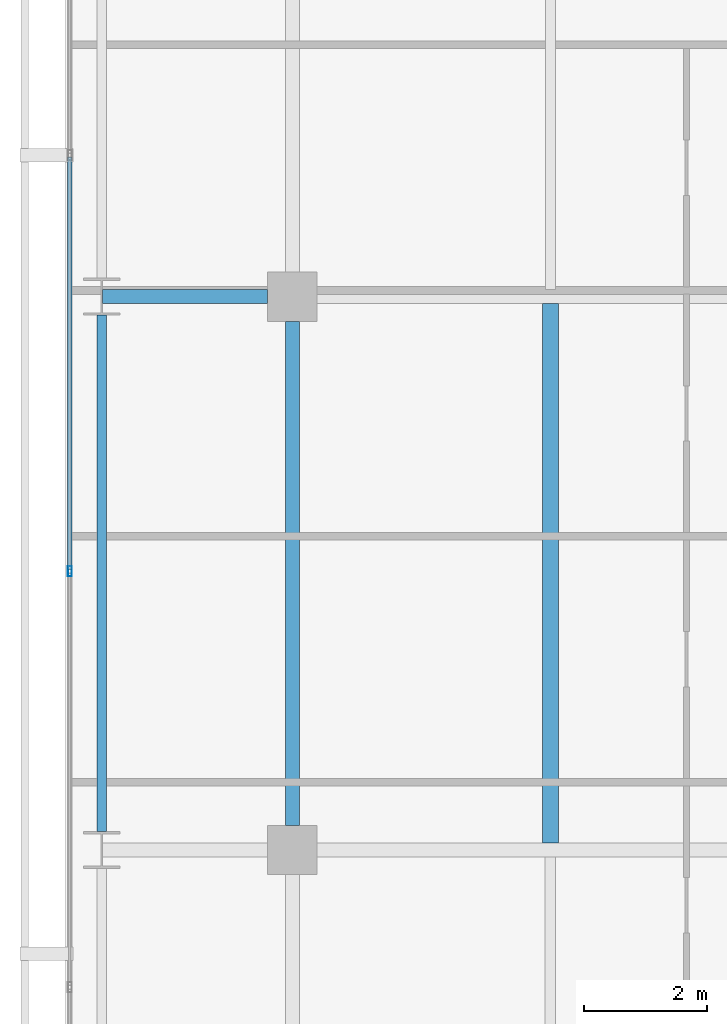
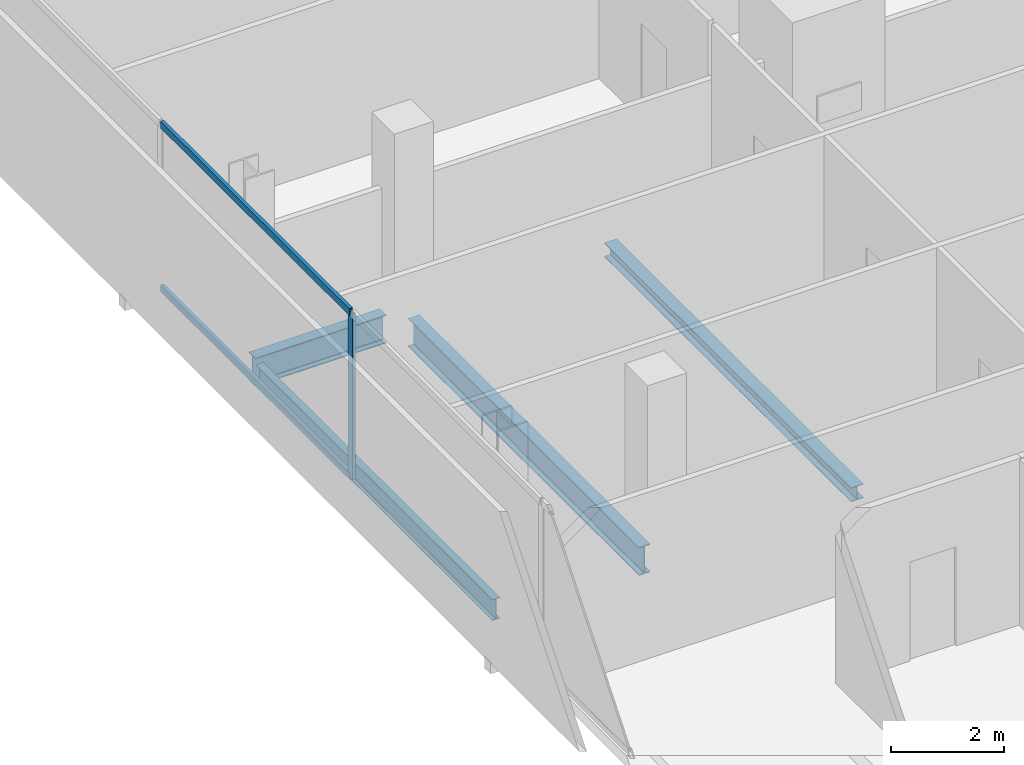
# One storey, part 8 of 34: 4 beams, 3 members, 1 element without a shape of its own.
"""IFC4 building model written with IfcOpenShell, lengths in metres."""

from ifc_helpers import new_model, si_unit, direction, frame, origin, origin_2d, place, context, subcontext, project, spatial, hollow_rectangle, i_section, extrude, material, layer, layer_set, material_profile, profile_set, type_object, element, aggregate, save


model = new_model("IFC4")

# Units and contexts
model_context = context("Model", 3, precision=1e-05, world=origin(), true_north=direction((0.0, 1.0)))
body_context = subcontext(model_context, "Body", "Model", "MODEL_VIEW")
ifc_project = project(units=[si_unit("LENGTHUNIT", "METRE"), si_unit("AREAUNIT", "SQUARE_METRE"), si_unit("VOLUMEUNIT", "CUBIC_METRE"), si_unit("PLANEANGLEUNIT", "RADIAN"), si_unit("MASSUNIT", "GRAM", prefix="KILO")], contexts=[model_context])

# Site, building, storey
site_placement = place(None, origin())
site = spatial("IfcSite", under=ifc_project, at=site_placement, CompositionType="ELEMENT")
building_placement = place(site_placement, origin())
building = spatial("IfcBuilding", under=site, at=building_placement, Name="Maruvema Waterfront Hotel and Observation Tower", CompositionType="ELEMENT")
storey_placement = place(building_placement, frame((0.0, 0.0, 131.25)))
storey = spatial("IfcBuildingStorey", under=building, at=storey_placement, Name="L31", CompositionType="ELEMENT", Elevation=131.25)

# Curtain wall, members
ifc_material_1 = material(Name="Anodised bronze aluminium and solar-control low-E IGU", Category="aluminium")
ifc_layer = layer(ifc_material_1, 0.159912109375, Name="Zone 2 Amber Inner Thermal Curtain Wall System CW-03")
ifc_layer_set = layer_set([ifc_layer], Name="Anodised bronze aluminium and solar-control low-E IGU")
curtain_wall_type = type_object("IfcCurtainWallType", Name="Zone 2 Amber Inner Thermal Curtain Wall System CW-03", PredefinedType="USERDEFINED", material=ifc_layer_set)
curtain_wall_placement = place(storey_placement, origin())
curtain_wall = element("IfcCurtainWall", 1, at=curtain_wall_placement, inside=storey, type_object=curtain_wall_type, Name="L31 Curtain Wall CW-L31-W", ObjectType="UNITISED CURTAIN WALL", PredefinedType="USERDEFINED")
ifc_material_2 = material(Name="Anodised architectural bronze aluminium", Category="aluminium")
ifc_material_profile_1 = material_profile(ifc_material_2, hollow_rectangle(XDim=0.070068359375, YDim=0.14990234375, WallThickness=0.00390625, at=origin_2d()), Name="ALU-T70x150")
ifc_profile_set_1 = profile_set([ifc_material_profile_1], Name="Anodised architectural bronze aluminium")
member_type_1 = type_object("IfcMemberType", Name="Curtain Wall Horizontal Transom ALU-T70x150", PredefinedType="USERDEFINED", material=ifc_profile_set_1)
member_1_placement = place(storey_placement, frame((13.179931640625, 29.27001953125, 0.030029296875), z_axis=(0.0, -1.0, 0.0), x_axis=(1.0, 0.0, 0.0)))
member_1 = element("IfcMember", 2, at=member_1_placement, type_object=member_type_1, Name="CW-03 transom 4.1", ObjectType="TRANSOM", PredefinedType="USERDEFINED", context=body_context, shape_type="SweptSolid", body=[
    extrude(hollow_rectangle(XDim=0.070068359375, YDim=0.14990234375, WallThickness=0.00390625, at=origin_2d()), origin(), (0.0, 0.0, 1.0), 6.706787109375),
])
member_2_placement = place(storey_placement, frame((13.179931640625, 29.27001953125, 3.580078125), z_axis=(0.0, -1.0, 0.0), x_axis=(1.0, 0.0, 0.0)))
member_2 = element("IfcMember", 3, at=member_2_placement, type_object=member_type_1, Name="CW-03 transom 4.2", ObjectType="TRANSOM", PredefinedType="USERDEFINED", context=body_context, shape_type="SweptSolid", body=[
    extrude(hollow_rectangle(XDim=0.070068359375, YDim=0.14990234375, WallThickness=0.00390625, at=origin_2d()), origin(), (0.0, 0.0, 1.0), 6.706787109375),
])
ifc_material_3 = material(Name="Anodised architectural bronze aluminium", Category="aluminium")
ifc_material_profile_2 = material_profile(ifc_material_3, hollow_rectangle(XDim=0.06494140625, YDim=0.1650390625, WallThickness=0.00390625, at=origin_2d()), Name="ALU-M65x165")
ifc_profile_set_2 = profile_set([ifc_material_profile_2], Name="Anodised architectural bronze aluminium")
member_type_2 = type_object("IfcMemberType", Name="Curtain Wall Primary Mullion ALU-M65x165", PredefinedType="MULLION", material=ifc_profile_set_2)
member_3_placement = place(storey_placement, frame((13.179931640625, 22.533447265625, 0.0), z_axis=(0.0, 0.0, 1.0), x_axis=(1.0, 0.0, 0.0)))
member_3 = element("IfcMember", 4, at=member_3_placement, type_object=member_type_2, Name="CW-03 mullion 5", PredefinedType="MULLION", context=body_context, shape_type="SweptSolid", body=[
    extrude(hollow_rectangle(XDim=0.06494140625, YDim=0.1650390625, WallThickness=0.00390625, at=origin_2d()), origin(), (0.0, 0.0, 1.0), 3.610107421875),
])
aggregate(curtain_wall, [member_3, member_1, member_2])

# Beams
ifc_material_4 = material(Name="Steel ASTM A572 Grade 50", Category="steel")
ifc_material_profile_3 = material_profile(ifc_material_4, i_section(OverallWidth=0.153076171875, OverallDepth=0.455078125, WebThickness=0.008056640625, FlangeThickness=0.01318359375, FilletRadius=0.014892578125, at=origin_2d()), Name="W460x60.0")
ifc_profile_set_3 = profile_set([ifc_material_profile_3], Name="Steel ASTM A572 Grade 50")
beam_type_1 = type_object("IfcBeamType", Name="Perimeter Spandrel Beam W460x60.0", PredefinedType="SPANDREL", material=ifc_profile_set_3)
beam_1_placement = place(storey_placement, frame((13.699951171875, 18.300048828125, -0.467529296875), z_axis=(0.0, 1.0, 0.0), x_axis=(-1.0, 0.0, 0.0)))
element("IfcBeam", 5, at=beam_1_placement, inside=storey, type_object=beam_type_1, Name="L31 Floor Girder NS-02", PredefinedType="SPANDREL", context=body_context, shape_type="SweptSolid", body=[
    extrude(i_section(OverallWidth=0.153076171875, OverallDepth=0.455078125, WebThickness=0.008056640625, FlangeThickness=0.01318359375, FilletRadius=0.014892578125, at=origin_2d()), origin(), (0.0, 0.0, 1.0), 8.39990234375),
])
ifc_material_5 = material(Name="Steel ASTM A572 Grade 50", Category="steel")
ifc_material_profile_4 = material_profile(ifc_material_5, i_section(OverallWidth=0.22900390625, OverallDepth=0.612060546875, WebThickness=0.011962890625, FlangeThickness=0.01953125, FilletRadius=0.01806640625, at=origin_2d()), Name="W610x125.0")
ifc_profile_set_4 = profile_set([ifc_material_profile_4], Name="Steel ASTM A572 Grade 50")
beam_type_2 = type_object("IfcBeamType", Name="Primary Floor Girder W610x125.0", PredefinedType="BEAM", material=ifc_profile_set_4)
beam_2_placement = place(storey_placement, frame((13.71240234375, 27.0, -0.5458984375), z_axis=(1.0, 0.0, 0.0), x_axis=(0.0, 1.0, 0.0)))
element("IfcBeam", 6, at=beam_2_placement, inside=storey, type_object=beam_type_2, Name="L31 Floor Girder EW-18", PredefinedType="BEAM", context=body_context, shape_type="SweptSolid", body=[
    extrude(i_section(OverallWidth=0.22900390625, OverallDepth=0.612060546875, WebThickness=0.011962890625, FlangeThickness=0.01953125, FilletRadius=0.01806640625, at=origin_2d()), origin(), (0.0, 0.0, 1.0), 2.6875),
])
beam_3_placement = place(storey_placement, frame((16.800048828125, 18.39990234375, -0.5458984375), z_axis=(0.0, 1.0, 0.0), x_axis=(-1.0, 0.0, 0.0)))
element("IfcBeam", 7, at=beam_3_placement, inside=storey, type_object=beam_type_2, Name="L31 Floor Girder NS-06", PredefinedType="BEAM", context=body_context, shape_type="SweptSolid", body=[
    extrude(i_section(OverallWidth=0.22900390625, OverallDepth=0.612060546875, WebThickness=0.011962890625, FlangeThickness=0.01953125, FilletRadius=0.01806640625, at=origin_2d()), origin(), (0.0, 0.0, 1.0), 8.2001953125),
])
ifc_material_6 = material(Name="Steel ASTM A572 Grade 50", Category="steel")
ifc_material_profile_5 = material_profile(ifc_material_6, i_section(OverallWidth=0.25390625, OverallDepth=0.305908203125, WebThickness=0.0087890625, FlangeThickness=0.0146484375, FilletRadius=0.014892578125, at=origin_2d()), Name="W310x79.0")
ifc_profile_set_5 = profile_set([ifc_material_profile_5], Name="Steel ASTM A572 Grade 50")
beam_type_3 = type_object("IfcBeamType", Name="Secondary Floor Joist W310x79.0", PredefinedType="JOIST", material=ifc_profile_set_5)
beam_4_placement = place(storey_placement, frame((21.0, 18.114501953125, -0.39306640625), z_axis=(0.0, 1.0, 0.0), x_axis=(-1.0, 0.0, 0.0)))
element("IfcBeam", 8, at=beam_4_placement, inside=storey, type_object=beam_type_3, Name="L31 Secondary Floor Joist JS-02", PredefinedType="JOIST", context=body_context, shape_type="SweptSolid", body=[
    extrude(i_section(OverallWidth=0.25390625, OverallDepth=0.305908203125, WebThickness=0.0087890625, FlangeThickness=0.0146484375, FilletRadius=0.014892578125, at=origin_2d()), origin(), (0.0, 0.0, 1.0), 8.77099609375),
])

save(model, "model.ifc")
